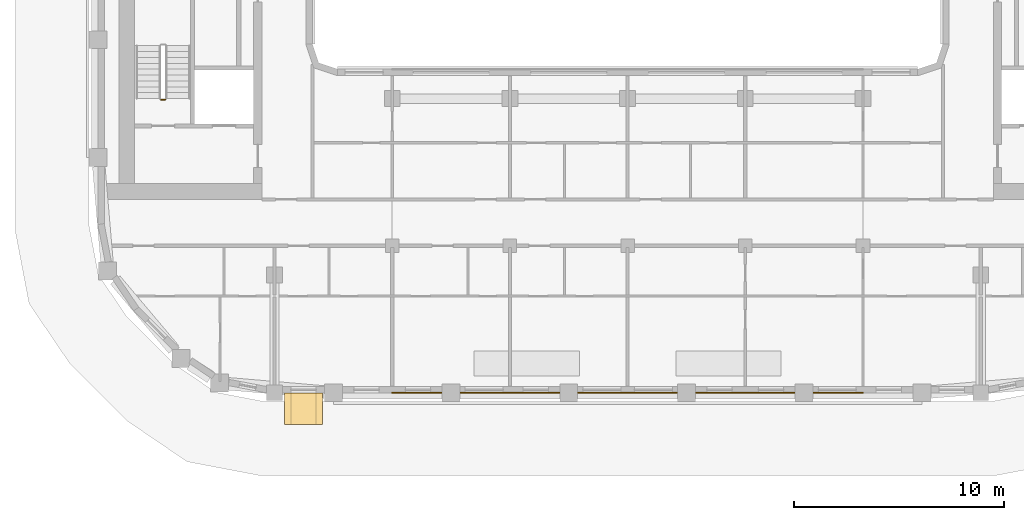
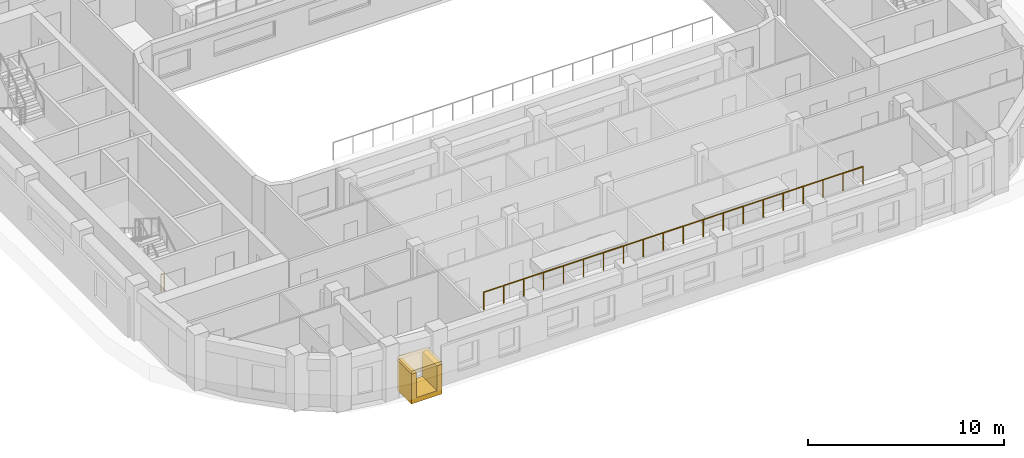
# One storey, part 10 of 16: 2 coverings, 2 railings.
"""IFC4 building model written with IfcOpenShell, lengths in metres."""

from ifc_helpers import new_model, si_unit, direction, frame, origin, origin_2d, place, context, subcontext, project, spatial, polyline, rectangle, circle, outline, extrude, material, layer, layer_set, type_object, element, save


model = new_model("IFC4")

# Units and contexts
model_context = context("Model", 3, precision=1e-05, world=origin(), true_north=direction((0.0, 1.0)))
body_context = subcontext(model_context, "Body", "Model", "MODEL_VIEW")
ifc_project = project(units=[si_unit("LENGTHUNIT", "METRE"), si_unit("AREAUNIT", "SQUARE_METRE"), si_unit("VOLUMEUNIT", "CUBIC_METRE"), si_unit("PLANEANGLEUNIT", "RADIAN"), si_unit("MASSUNIT", "GRAM", prefix="KILO")], contexts=[model_context])

# Site, building, storey
site_placement = place(None, origin())
site = spatial("IfcSite", under=ifc_project, at=site_placement, CompositionType="ELEMENT")
building_placement = place(site_placement, origin())
building = spatial("IfcBuilding", under=site, at=building_placement, Name="Kiln Ring Residences", CompositionType="ELEMENT")
storey_placement = place(building_placement, frame((0.0, 0.0, 227.39990234375)))
storey = spatial("IfcBuildingStorey", under=building, at=storey_placement, Name="L59", CompositionType="ELEMENT", Elevation=227.39990234375)

# Railing
ifc_material_1 = material(Name="Stainless steel", Category="steel")
railing_type_1 = type_object("IfcRailingType", Name="CORE-STAIR-GUARD", PredefinedType="GUARDRAIL", material=ifc_material_1)
railing_1_placement = place(storey_placement, frame((-22.0, -8.449951171875, 0.0)))
element("IfcRailing", 1, at=railing_1_placement, inside=storey, type_object=railing_type_1, Name="L59 W-STS stair guard 4", PredefinedType="GUARDRAIL", context=body_context, shape_type="SweptSolid", body=[
    extrude(circle(Radius=0.02392578125, at=origin_2d()), frame((0.0, 0.0, 1.076171875), z_axis=(-1.0, 0.0, 0.0), x_axis=(0.0, -1.0, 0.0)), (0.0, 0.0, 1.0), 0.199951171875),
    extrude(circle(Radius=0.02099609375, at=origin_2d()), origin(), (0.0, 0.0, 1.0), 1.052001953125),
    extrude(circle(Radius=0.02099609375, at=origin_2d()), frame((-0.199951171875, 0.0, 0.0)), (0.0, 0.0, 1.0), 1.052001953125),
])

# Coverings
ifc_material_2 = material(Name="Brick masonry, dark clay brick", Category="masonry")
ifc_layer_1 = layer(ifc_material_2, 0.300048828125)
ifc_layer_set_1 = layer_set([ifc_layer_1], Name="FRAME CHEEKS AND SILL 1500")
covering_type_1 = type_object("IfcCoveringType", Name="FRAME CHEEKS AND SILL 1500", PredefinedType="CLADDING", material=ifc_layer_set_1)
covering_1_placement = place(storey_placement, frame((-16.324951171875, -23.14990234375, 0.300048828125), z_axis=(0.0, 0.0, 1.0), x_axis=(1.0, 0.0, 0.0)))
element("IfcCovering", 2, at=covering_1_placement, inside=storey, type_object=covering_type_1, Name="FRAME L59", PredefinedType="CLADDING", context=body_context, shape_type="SweptSolid", body=[
    extrude(outline(polyline([(0.0, 0.0), (1.800048828125, 0.0), (1.800048828125, 1.85009765625), (1.5009765625, 1.85009765625), (1.5, 0.300048828125), (0.300048828125, 0.300048828125), (0.299072265625, 1.85009765625), (0.0, 1.85009765625), (0.0, 0.0)])), frame((0.0, 0.75, 0.0), z_axis=(0.0, -1.0, 0.0), x_axis=(1.0, 0.0, 0.0)), (0.0, 0.0, 1.0), 1.5),
])
ifc_material_3 = material(Name="Brick masonry, dark clay brick", Category="masonry")
ifc_layer_2 = layer(ifc_material_3, 0.199951171875)
ifc_layer_set_2 = layer_set([ifc_layer_2], Name="FRAME HEAD 1500")
covering_type_2 = type_object("IfcCoveringType", Name="FRAME HEAD 1500", PredefinedType="CLADDING", material=ifc_layer_set_2)
covering_2_placement = place(storey_placement, frame((-15.425048828125, -23.14990234375, 2.14990234375), z_axis=(0.0, 0.0, 1.0), x_axis=(1.0, 0.0, 0.0)))
element("IfcCovering", 3, at=covering_2_placement, inside=storey, type_object=covering_type_2, Name="FRAME HEAD L59", PredefinedType="CLADDING", context=body_context, shape_type="SweptSolid", body=[
    extrude(rectangle(XDim=1.800048828125, YDim=1.5, at=origin_2d()), origin(), (0.0, 0.0, 1.0), 0.199951171875),
])

# Railing
ifc_material_4 = material(Name="Black powder-coated steel", Category="steel")
railing_type_2 = type_object("IfcRailingType", Name="ROOF GUARD 1100", PredefinedType="GUARDRAIL", material=ifc_material_4)
railing_2_placement = place(storey_placement, frame((-11.199951171875, -22.39990234375, 3.5)))
element("IfcRailing", 4, at=railing_2_placement, inside=storey, type_object=railing_type_2, Name="GUARD L59 sky portal terrace", PredefinedType="GUARDRAIL", context=body_context, shape_type="SweptSolid", body=[
    extrude(circle(Radius=0.02392578125, at=origin_2d()), frame((0.0, 0.0, 1.076171875), z_axis=(1.0, 0.0, 0.0), x_axis=(0.0, 1.0, 0.0)), (0.0, 0.0, 1.0), 22.39990234375),
    extrude(circle(Radius=0.02099609375, at=origin_2d()), origin(), (0.0, 0.0, 1.0), 1.052001953125),
    extrude(circle(Radius=0.02099609375, at=origin_2d()), frame((1.178955078125, 0.0, 0.0)), (0.0, 0.0, 1.0), 1.052001953125),
    extrude(circle(Radius=0.02099609375, at=origin_2d()), frame((2.35791015625, 0.0, 0.0)), (0.0, 0.0, 1.0), 1.052001953125),
    extrude(circle(Radius=0.02099609375, at=origin_2d()), frame((3.536865234375, 0.0, 0.0)), (0.0, 0.0, 1.0), 1.052001953125),
    extrude(circle(Radius=0.02099609375, at=origin_2d()), frame((4.7158203125, 0.0, 0.0)), (0.0, 0.0, 1.0), 1.052001953125),
    extrude(circle(Radius=0.02099609375, at=origin_2d()), frame((5.894775390625, 0.0, 0.0)), (0.0, 0.0, 1.0), 1.052001953125),
    extrude(circle(Radius=0.02099609375, at=origin_2d()), frame((7.07373046875, 0.0, 0.0)), (0.0, 0.0, 1.0), 1.052001953125),
    extrude(circle(Radius=0.02099609375, at=origin_2d()), frame((8.252685546875, 0.0, 0.0)), (0.0, 0.0, 1.0), 1.052001953125),
    extrude(circle(Radius=0.02099609375, at=origin_2d()), frame((9.431640625, 0.0, 0.0)), (0.0, 0.0, 1.0), 1.052001953125),
    extrude(circle(Radius=0.02099609375, at=origin_2d()), frame((10.610595703125, 0.0, 0.0)), (0.0, 0.0, 1.0), 1.052001953125),
    extrude(circle(Radius=0.02099609375, at=origin_2d()), frame((11.789306640625, 0.0, 0.0)), (0.0, 0.0, 1.0), 1.052001953125),
    extrude(circle(Radius=0.02099609375, at=origin_2d()), frame((12.96826171875, 0.0, 0.0)), (0.0, 0.0, 1.0), 1.052001953125),
    extrude(circle(Radius=0.02099609375, at=origin_2d()), frame((14.147216796875, 0.0, 0.0)), (0.0, 0.0, 1.0), 1.052001953125),
    extrude(circle(Radius=0.02099609375, at=origin_2d()), frame((15.326171875, 0.0, 0.0)), (0.0, 0.0, 1.0), 1.052001953125),
    extrude(circle(Radius=0.02099609375, at=origin_2d()), frame((16.505126953125, 0.0, 0.0)), (0.0, 0.0, 1.0), 1.052001953125),
    extrude(circle(Radius=0.02099609375, at=origin_2d()), frame((17.68408203125, 0.0, 0.0)), (0.0, 0.0, 1.0), 1.052001953125),
    extrude(circle(Radius=0.02099609375, at=origin_2d()), frame((18.863037109375, 0.0, 0.0)), (0.0, 0.0, 1.0), 1.052001953125),
    extrude(circle(Radius=0.02099609375, at=origin_2d()), frame((20.0419921875, 0.0, 0.0)), (0.0, 0.0, 1.0), 1.052001953125),
    extrude(circle(Radius=0.02099609375, at=origin_2d()), frame((21.220947265625, 0.0, 0.0)), (0.0, 0.0, 1.0), 1.052001953125),
    extrude(circle(Radius=0.02099609375, at=origin_2d()), frame((22.39990234375, 0.0, 0.0)), (0.0, 0.0, 1.0), 1.052001953125),
])

save(model, "model.ifc")
